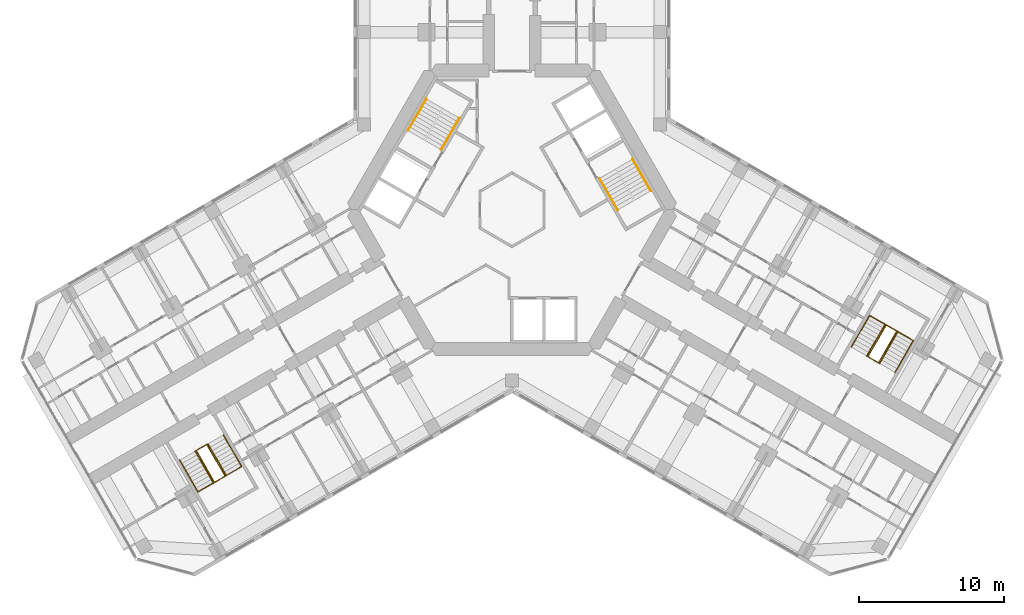
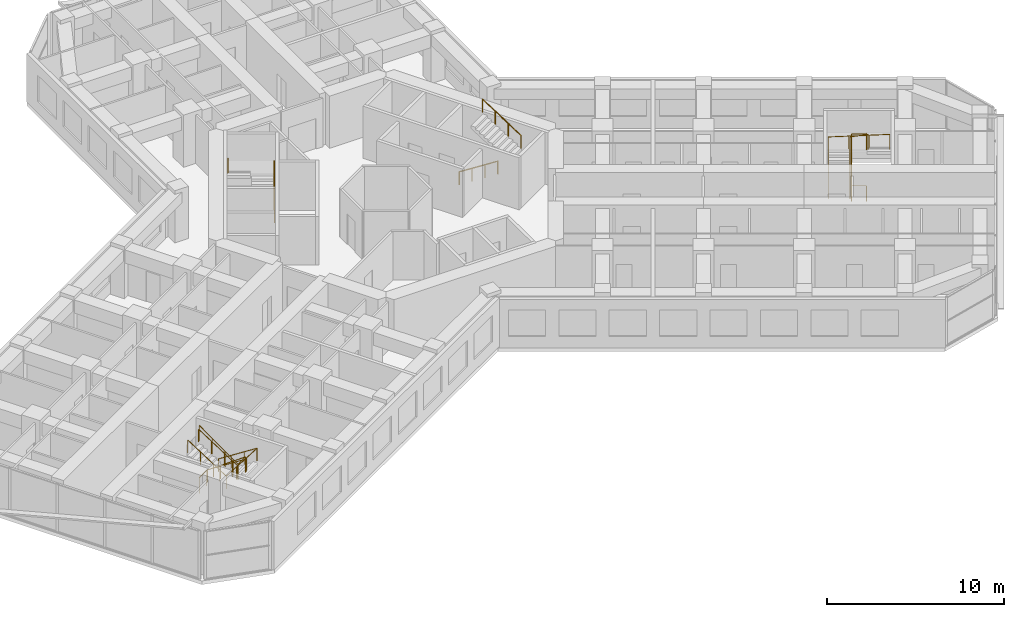
# One storey, part 19 of 19: 10 railings.
"""IFC4 building model written with IfcOpenShell, lengths in metres."""

from ifc_helpers import new_model, si_unit, direction, frame, origin, origin_2d, place, context, subcontext, project, spatial, circle, extrude, material, type_object, element, save


model = new_model("IFC4")

# Units and contexts
model_context = context("Model", 3, precision=1e-05, world=origin(), true_north=direction((0.0, 1.0)))
body_context = subcontext(model_context, "Body", "Model", "MODEL_VIEW")
ifc_project = project(units=[si_unit("LENGTHUNIT", "METRE"), si_unit("AREAUNIT", "SQUARE_METRE"), si_unit("VOLUMEUNIT", "CUBIC_METRE"), si_unit("PLANEANGLEUNIT", "RADIAN"), si_unit("MASSUNIT", "GRAM", prefix="KILO")], contexts=[model_context])

# Site, building, storey
site_placement = place(None, origin())
site = spatial("IfcSite", under=ifc_project, at=site_placement, CompositionType="ELEMENT")
building_placement = place(site_placement, origin())
building = spatial("IfcBuilding", under=site, at=building_placement, Name="Kosmar Iwan School Tower", CompositionType="ELEMENT")
storey_placement = place(building_placement, frame((0.0, 0.0, 145.39990234375)))
storey = spatial("IfcBuildingStorey", under=building, at=storey_placement, Name="L36", CompositionType="ELEMENT", Elevation=145.39990234375)

# Railings
ifc_material_1 = material(Name="Black steel", Category="steel")
railing_type_1 = type_object("IfcRailingType", Name="Stair handrail 900", PredefinedType="HANDRAIL", material=ifc_material_1)
railing_1_placement = place(storey_placement, frame((-4.89453125, 4.142333984375, 0.18017578125)))
element("IfcRailing", 1, at=railing_1_placement, inside=storey, type_object=railing_type_1, Name="Handrail ST2 flight 1", PredefinedType="HANDRAIL", context=body_context, shape_type="SweptSolid", body=[
    extrude(circle(Radius=0.02392578125, at=origin_2d()), frame((0.0, 0.0, 0.8759765625), z_axis=(0.42060268101, 0.72849590497, 0.54072830624), x_axis=(-0.866022637375, 0.500004791531, 0.0)), (0.0, 0.0, 1.0), 2.99560546875),
    extrude(circle(Radius=0.02099609375, at=origin_2d()), origin(), (0.0, 0.0, 1.0), 0.851806640625),
    extrude(circle(Radius=0.02099609375, at=origin_2d()), frame((0.419921875, 0.7275390625, 0.5400390625)), (0.0, 0.0, 1.0), 0.851806640625),
    extrude(circle(Radius=0.02099609375, at=origin_2d()), frame((0.840087890625, 1.454833984375, 1.079833984375)), (0.0, 0.0, 1.0), 0.851806640625),
    extrude(circle(Radius=0.02099609375, at=origin_2d()), frame((1.260009765625, 2.182373046875, 1.619873046875)), (0.0, 0.0, 1.0), 0.851806640625),
])
railing_2_placement = place(storey_placement, frame((-5.912353515625, 7.6396484375, 1.97998046875)))
element("IfcRailing", 2, at=railing_2_placement, inside=storey, type_object=railing_type_1, Name="Handrail ST2 flight 2", PredefinedType="HANDRAIL", context=body_context, shape_type="SweptSolid", body=[
    extrude(circle(Radius=0.02392578125, at=origin_2d()), frame((0.0, 0.0, 0.8759765625), z_axis=(-0.420584145978, -0.728463801763, 0.540785970299), x_axis=(0.866022637375, -0.500004791531, 0.0)), (0.0, 0.0, 1.0), 2.995849609375),
    extrude(circle(Radius=0.02099609375, at=origin_2d()), origin(), (0.0, 0.0, 1.0), 0.851806640625),
    extrude(circle(Radius=0.02099609375, at=origin_2d()), frame((-0.419921875, -0.7275390625, 0.5400390625)), (0.0, 0.0, 1.0), 0.851806640625),
    extrude(circle(Radius=0.02099609375, at=origin_2d()), frame((-0.840087890625, -1.454833984375, 1.080078125)), (0.0, 0.0, 1.0), 0.851806640625),
    extrude(circle(Radius=0.02099609375, at=origin_2d()), frame((-1.260009765625, -2.182373046875, 1.6201171875)), (0.0, 0.0, 1.0), 0.851806640625),
])
railing_3_placement = place(storey_placement, frame((6.03466796875, 2.167724609375, 0.18017578125)))
element("IfcRailing", 3, at=railing_3_placement, inside=storey, type_object=railing_type_1, Name="Handrail ST1 flight 1", PredefinedType="HANDRAIL", context=body_context, shape_type="SweptSolid", body=[
    extrude(circle(Radius=0.02392578125, at=origin_2d()), frame((0.0, 0.0, 0.8759765625), z_axis=(0.42060268101, -0.72849590497, 0.54072830624), x_axis=(0.866022637375, 0.500004791531, 0.0)), (0.0, 0.0, 1.0), 2.99560546875),
    extrude(circle(Radius=0.02099609375, at=origin_2d()), origin(), (0.0, 0.0, 1.0), 0.851806640625),
    extrude(circle(Radius=0.02099609375, at=origin_2d()), frame((0.419921875, -0.7275390625, 0.5400390625)), (0.0, 0.0, 1.0), 0.851806640625),
    extrude(circle(Radius=0.02099609375, at=origin_2d()), frame((0.840087890625, -1.454833984375, 1.079833984375)), (0.0, 0.0, 1.0), 0.851806640625),
    extrude(circle(Radius=0.02099609375, at=origin_2d()), frame((1.260009765625, -2.182373046875, 1.619873046875)), (0.0, 0.0, 1.0), 0.851806640625),
])
railing_4_placement = place(storey_placement, frame((9.572265625, 1.30029296875, 1.97998046875)))
element("IfcRailing", 4, at=railing_4_placement, inside=storey, type_object=railing_type_1, Name="Handrail ST1 flight 2", PredefinedType="HANDRAIL", context=body_context, shape_type="SweptSolid", body=[
    extrude(circle(Radius=0.02392578125, at=origin_2d()), frame((0.0, 0.0, 0.8759765625), z_axis=(-0.420584145978, 0.728463801763, 0.540785970299), x_axis=(-0.866022637375, -0.500004791531, 0.0)), (0.0, 0.0, 1.0), 2.995849609375),
    extrude(circle(Radius=0.02099609375, at=origin_2d()), origin(), (0.0, 0.0, 1.0), 0.851806640625),
    extrude(circle(Radius=0.02099609375, at=origin_2d()), frame((-0.419921875, 0.7275390625, 0.5400390625)), (0.0, 0.0, 1.0), 0.851806640625),
    extrude(circle(Radius=0.02099609375, at=origin_2d()), frame((-0.840087890625, 1.454833984375, 1.080078125)), (0.0, 0.0, 1.0), 0.851806640625),
    extrude(circle(Radius=0.02099609375, at=origin_2d()), frame((-1.260009765625, 2.182373046875, 1.6201171875)), (0.0, 0.0, 1.0), 0.851806640625),
])
railing_5_placement = place(storey_placement, frame((-19.9091796875, -15.5361328125, 0.18017578125)))
element("IfcRailing", 5, at=railing_5_placement, inside=storey, type_object=railing_type_1, Name="Handrail stair WS2 L36 wall side", PredefinedType="HANDRAIL", context=body_context, shape_type="SweptSolid", body=[
    extrude(circle(Radius=0.02392578125, at=origin_2d()), frame((0.0, 0.0, 0.8759765625), z_axis=(0.420535598452, -0.728520874915, 0.540746840257), x_axis=(0.866064587494, 0.499932125682, 0.0)), (0.0, 0.0, 1.0), 2.99560546875),
    extrude(circle(Radius=0.02392578125, at=origin_2d()), frame((1.259765625, -2.182373046875, 2.49560546875), z_axis=(-0.864864352349, -0.499342858003, 0.051636829851), x_axis=(0.500009906705, -0.86601968407, 0.0)), (0.0, 0.0, 1.0), 3.484619140625),
    extrude(circle(Radius=0.02392578125, at=origin_2d()), frame((-1.75390625, -3.92236328125, 2.67578125), z_axis=(-0.420584145978, 0.728463801763, 0.540785970299), x_axis=(-0.866022637375, -0.500004791531, 0.0)), (0.0, 0.0, 1.0), 2.995849609375),
    extrude(circle(Radius=0.02099609375, at=origin_2d()), origin(), (0.0, 0.0, 1.0), 0.851806640625),
    extrude(circle(Radius=0.02099609375, at=origin_2d()), frame((0.419921875, -0.7275390625, 0.5400390625)), (0.0, 0.0, 1.0), 0.851806640625),
    extrude(circle(Radius=0.02099609375, at=origin_2d()), frame((0.83984375, -1.454833984375, 1.079833984375)), (0.0, 0.0, 1.0), 0.851806640625),
    extrude(circle(Radius=0.02099609375, at=origin_2d()), frame((1.259765625, -2.182373046875, 1.619873046875)), (0.0, 0.0, 1.0), 0.851806640625),
    extrude(circle(Radius=0.02099609375, at=origin_2d()), frame((0.255126953125, -2.762451171875, 1.679931640625)), (0.0, 0.0, 1.0), 0.851806640625),
    extrude(circle(Radius=0.02099609375, at=origin_2d()), frame((-0.749267578125, -3.34228515625, 1.73974609375)), (0.0, 0.0, 1.0), 0.851806640625),
    extrude(circle(Radius=0.02099609375, at=origin_2d()), frame((-1.75390625, -3.92236328125, 1.7998046875)), (0.0, 0.0, 1.0), 0.851806640625),
    extrude(circle(Radius=0.02099609375, at=origin_2d()), frame((-2.173828125, -3.19482421875, 2.33984375)), (0.0, 0.0, 1.0), 0.851806640625),
    extrude(circle(Radius=0.02099609375, at=origin_2d()), frame((-2.593994140625, -2.467529296875, 2.8798828125)), (0.0, 0.0, 1.0), 0.851806640625),
    extrude(circle(Radius=0.02099609375, at=origin_2d()), frame((-3.013916015625, -1.739990234375, 3.419921875)), (0.0, 0.0, 1.0), 0.851806640625),
])
railing_6_placement = place(storey_placement, frame((-20.974609375, -16.151123046875, 0.18017578125)))
element("IfcRailing", 6, at=railing_6_placement, inside=storey, type_object=railing_type_1, Name="Handrail stair WS2 L36 well side", PredefinedType="HANDRAIL", context=body_context, shape_type="SweptSolid", body=[
    extrude(circle(Radius=0.02392578125, at=origin_2d()), frame((0.0, 0.0, 0.8759765625), z_axis=(0.42060268101, -0.72849590497, 0.54072830624), x_axis=(0.866022637375, 0.500004791531, 0.0)), (0.0, 0.0, 1.0), 2.99560546875),
    extrude(circle(Radius=0.02392578125, at=origin_2d()), frame((1.260009765625, -2.182373046875, 2.49560546875), z_axis=(-0.852841519511, -0.492422867401, 0.173726976197), x_axis=(0.500026340207, -0.866010195725, 0.0)), (0.0, 0.0, 1.0), 1.03564453125),
    extrude(circle(Radius=0.02392578125, at=origin_2d()), frame((0.376708984375, -2.6923828125, 2.67578125), z_axis=(-0.420584145978, 0.728463801763, 0.540785970299), x_axis=(-0.866022637375, -0.500004791531, 0.0)), (0.0, 0.0, 1.0), 2.995849609375),
    extrude(circle(Radius=0.02099609375, at=origin_2d()), origin(), (0.0, 0.0, 1.0), 0.851806640625),
    extrude(circle(Radius=0.02099609375, at=origin_2d()), frame((0.419921875, -0.7275390625, 0.5400390625)), (0.0, 0.0, 1.0), 0.851806640625),
    extrude(circle(Radius=0.02099609375, at=origin_2d()), frame((0.840087890625, -1.454833984375, 1.079833984375)), (0.0, 0.0, 1.0), 0.851806640625),
    extrude(circle(Radius=0.02099609375, at=origin_2d()), frame((1.260009765625, -2.182373046875, 1.619873046875)), (0.0, 0.0, 1.0), 0.851806640625),
    extrude(circle(Radius=0.02099609375, at=origin_2d()), frame((0.376708984375, -2.6923828125, 1.7998046875)), (0.0, 0.0, 1.0), 0.851806640625),
    extrude(circle(Radius=0.02099609375, at=origin_2d()), frame((-0.043212890625, -1.96484375, 2.33984375)), (0.0, 0.0, 1.0), 0.851806640625),
    extrude(circle(Radius=0.02099609375, at=origin_2d()), frame((-0.46337890625, -1.237548828125, 2.8798828125)), (0.0, 0.0, 1.0), 0.851806640625),
    extrude(circle(Radius=0.02099609375, at=origin_2d()), frame((-0.88330078125, -0.510009765625, 3.419921875)), (0.0, 0.0, 1.0), 0.851806640625),
])
railing_7_placement = place(storey_placement, frame((23.4091796875, -9.473876953125, 0.18017578125)))
element("IfcRailing", 7, at=railing_7_placement, inside=storey, type_object=railing_type_1, Name="Handrail stair WS3 L36 wall side", PredefinedType="HANDRAIL", context=body_context, shape_type="SweptSolid", body=[
    extrude(circle(Radius=0.02392578125, at=origin_2d()), frame((0.0, 0.0, 0.8759765625), z_axis=(0.42060268101, 0.72849590497, 0.54072830624), x_axis=(-0.866022637375, 0.500004791531, 0.0)), (0.0, 0.0, 1.0), 2.99560546875),
    extrude(circle(Radius=0.02392578125, at=origin_2d()), frame((1.260009765625, 2.182373046875, 2.49560546875), z_axis=(0.864882007433, -0.499312601618, 0.051633701051), x_axis=(0.499979528911, 0.866037222451, 0.0)), (0.0, 0.0, 1.0), 3.48486328125),
    extrude(circle(Radius=0.02392578125, at=origin_2d()), frame((4.27392578125, 0.4423828125, 2.67578125), z_axis=(-0.420584145978, -0.728463801763, 0.540785970299), x_axis=(0.866022637375, -0.500004791531, 0.0)), (0.0, 0.0, 1.0), 2.995849609375),
    extrude(circle(Radius=0.02099609375, at=origin_2d()), origin(), (0.0, 0.0, 1.0), 0.851806640625),
    extrude(circle(Radius=0.02099609375, at=origin_2d()), frame((0.419921875, 0.7275390625, 0.5400390625)), (0.0, 0.0, 1.0), 0.851806640625),
    extrude(circle(Radius=0.02099609375, at=origin_2d()), frame((0.840087890625, 1.454833984375, 1.079833984375)), (0.0, 0.0, 1.0), 0.851806640625),
    extrude(circle(Radius=0.02099609375, at=origin_2d()), frame((1.260009765625, 2.182373046875, 1.619873046875)), (0.0, 0.0, 1.0), 0.851806640625),
    extrude(circle(Radius=0.02099609375, at=origin_2d()), frame((2.2646484375, 1.602294921875, 1.679931640625)), (0.0, 0.0, 1.0), 0.851806640625),
    extrude(circle(Radius=0.02099609375, at=origin_2d()), frame((3.269287109375, 1.0224609375, 1.73974609375)), (0.0, 0.0, 1.0), 0.851806640625),
    extrude(circle(Radius=0.02099609375, at=origin_2d()), frame((4.27392578125, 0.4423828125, 1.7998046875)), (0.0, 0.0, 1.0), 0.851806640625),
    extrude(circle(Radius=0.02099609375, at=origin_2d()), frame((3.85400390625, -0.28515625, 2.33984375)), (0.0, 0.0, 1.0), 0.851806640625),
    extrude(circle(Radius=0.02099609375, at=origin_2d()), frame((3.433837890625, -1.012451171875, 2.8798828125)), (0.0, 0.0, 1.0), 0.851806640625),
    extrude(circle(Radius=0.02099609375, at=origin_2d()), frame((3.013916015625, -1.739990234375, 3.419921875)), (0.0, 0.0, 1.0), 0.851806640625),
])
railing_8_placement = place(storey_placement, frame((24.474609375, -10.0888671875, 0.18017578125)))
element("IfcRailing", 8, at=railing_8_placement, inside=storey, type_object=railing_type_1, Name="Handrail stair WS3 L36 well side", PredefinedType="HANDRAIL", context=body_context, shape_type="SweptSolid", body=[
    extrude(circle(Radius=0.02392578125, at=origin_2d()), frame((0.0, 0.0, 0.8759765625), z_axis=(0.42060268101, 0.72849590497, 0.54072830624), x_axis=(-0.866022637375, 0.500004791531, 0.0)), (0.0, 0.0, 1.0), 2.99560546875),
    extrude(circle(Radius=0.02392578125, at=origin_2d()), frame((1.260009765625, 2.182373046875, 2.49560546875), z_axis=(0.852841519511, -0.492422867401, 0.173726976197), x_axis=(0.500026340207, 0.866010195725, 0.0)), (0.0, 0.0, 1.0), 1.03564453125),
    extrude(circle(Radius=0.02392578125, at=origin_2d()), frame((2.143310546875, 1.67236328125, 2.67578125), z_axis=(-0.420584145978, -0.728463801763, 0.540785970299), x_axis=(0.866022637375, -0.500004791531, 0.0)), (0.0, 0.0, 1.0), 2.995849609375),
    extrude(circle(Radius=0.02099609375, at=origin_2d()), origin(), (0.0, 0.0, 1.0), 0.851806640625),
    extrude(circle(Radius=0.02099609375, at=origin_2d()), frame((0.419921875, 0.7275390625, 0.5400390625)), (0.0, 0.0, 1.0), 0.851806640625),
    extrude(circle(Radius=0.02099609375, at=origin_2d()), frame((0.840087890625, 1.454833984375, 1.079833984375)), (0.0, 0.0, 1.0), 0.851806640625),
    extrude(circle(Radius=0.02099609375, at=origin_2d()), frame((1.260009765625, 2.182373046875, 1.619873046875)), (0.0, 0.0, 1.0), 0.851806640625),
    extrude(circle(Radius=0.02099609375, at=origin_2d()), frame((2.143310546875, 1.67236328125, 1.7998046875)), (0.0, 0.0, 1.0), 0.851806640625),
    extrude(circle(Radius=0.02099609375, at=origin_2d()), frame((1.723388671875, 0.94482421875, 2.33984375)), (0.0, 0.0, 1.0), 0.851806640625),
    extrude(circle(Radius=0.02099609375, at=origin_2d()), frame((1.30322265625, 0.217529296875, 2.8798828125)), (0.0, 0.0, 1.0), 0.851806640625),
    extrude(circle(Radius=0.02099609375, at=origin_2d()), frame((0.88330078125, -0.510009765625, 3.419921875)), (0.0, 0.0, 1.0), 0.851806640625),
])
ifc_material_2 = material(Name="Black steel", Category="steel")
railing_type_2 = type_object("IfcRailingType", Name="Stair well guard 1100", PredefinedType="GUARDRAIL", material=ifc_material_2)
railing_9_placement = place(storey_placement, frame((-21.780029296875, -16.6162109375, 0.0)))
element("IfcRailing", 9, at=railing_9_placement, inside=storey, type_object=railing_type_2, Name="Stair WS2 L36 well guard", PredefinedType="GUARDRAIL", context=body_context, shape_type="SweptSolid", body=[
    extrude(circle(Radius=0.02392578125, at=origin_2d()), frame((0.0, 0.0, 1.076171875), z_axis=(0.865962960534, 0.500108139288, 0.0), x_axis=(-0.500108139288, 0.865962960534, 0.0)), (0.0, 0.0, 1.0), 0.840087890625),
    extrude(circle(Radius=0.02392578125, at=origin_2d()), frame((0.7275390625, 0.420166015625, 1.076171875), z_axis=(0.40686665399, -0.704704712268, 0.58124933925), x_axis=(0.866022637375, 0.500004791531, 0.0)), (0.0, 0.0, 1.0), 3.096923828125),
    extrude(circle(Radius=0.02392578125, at=origin_2d()), frame((1.987548828125, -1.76220703125, 2.8759765625), z_axis=(-0.865962960534, -0.500108139288, 0.0), x_axis=(0.500108139288, -0.865962960534, 0.0)), (0.0, 0.0, 1.0), 0.840087890625),
    extrude(circle(Radius=0.02392578125, at=origin_2d()), frame((1.260009765625, -2.182373046875, 2.8759765625), z_axis=(-0.40686665399, 0.704704712268, 0.58124933925), x_axis=(-0.866022637375, -0.500004791531, 0.0)), (0.0, 0.0, 1.0), 3.096923828125),
    extrude(circle(Radius=0.02099609375, at=origin_2d()), origin(), (0.0, 0.0, 1.0), 1.052001953125),
    extrude(circle(Radius=0.02099609375, at=origin_2d()), frame((0.7275390625, 0.420166015625, 0.0)), (0.0, 0.0, 1.0), 1.052001953125),
    extrude(circle(Radius=0.02099609375, at=origin_2d()), frame((1.1474609375, -0.307373046875, 0.60009765625)), (0.0, 0.0, 1.0), 1.052001953125),
    extrude(circle(Radius=0.02099609375, at=origin_2d()), frame((1.567626953125, -1.03466796875, 1.199951171875)), (0.0, 0.0, 1.0), 1.052001953125),
    extrude(circle(Radius=0.02099609375, at=origin_2d()), frame((1.987548828125, -1.76220703125, 1.800048828125)), (0.0, 0.0, 1.0), 1.052001953125),
    extrude(circle(Radius=0.02099609375, at=origin_2d()), frame((1.260009765625, -2.182373046875, 1.800048828125)), (0.0, 0.0, 1.0), 1.052001953125),
    extrude(circle(Radius=0.02099609375, at=origin_2d()), frame((0.840087890625, -1.454833984375, 2.400146484375)), (0.0, 0.0, 1.0), 1.052001953125),
    extrude(circle(Radius=0.02099609375, at=origin_2d()), frame((0.419921875, -0.7275390625, 3.0)), (0.0, 0.0, 1.0), 1.052001953125),
    extrude(circle(Radius=0.02099609375, at=origin_2d()), frame((0.0, 0.0, 3.60009765625)), (0.0, 0.0, 1.0), 1.052001953125),
])
railing_10_placement = place(storey_placement, frame((25.280029296875, -10.553955078125, 0.0)))
element("IfcRailing", 10, at=railing_10_placement, inside=storey, type_object=railing_type_2, Name="Stair WS3 L36 well guard", PredefinedType="GUARDRAIL", context=body_context, shape_type="SweptSolid", body=[
    extrude(circle(Radius=0.02392578125, at=origin_2d()), frame((0.0, 0.0, 1.076171875), z_axis=(-0.865962960534, 0.500108139288, 0.0), x_axis=(-0.500108139288, -0.865962960534, 0.0)), (0.0, 0.0, 1.0), 0.840087890625),
    extrude(circle(Radius=0.02392578125, at=origin_2d()), frame((-0.7275390625, 0.420166015625, 1.076171875), z_axis=(0.40686665399, 0.704704712268, 0.58124933925), x_axis=(-0.866022637375, 0.500004791531, 0.0)), (0.0, 0.0, 1.0), 3.096923828125),
    extrude(circle(Radius=0.02392578125, at=origin_2d()), frame((0.532470703125, 2.6025390625, 2.8759765625), z_axis=(0.865890253765, -0.500234013672, 0.0), x_axis=(0.500234013672, 0.865890253765, 0.0)), (0.0, 0.0, 1.0), 0.83984375),
    extrude(circle(Radius=0.02392578125, at=origin_2d()), frame((1.259765625, 2.182373046875, 2.8759765625), z_axis=(-0.406800866334, -0.70472731476, 0.58126798207), x_axis=(0.866064587494, -0.499932125682, 0.0)), (0.0, 0.0, 1.0), 3.0966796875),
    extrude(circle(Radius=0.02099609375, at=origin_2d()), origin(), (0.0, 0.0, 1.0), 1.052001953125),
    extrude(circle(Radius=0.02099609375, at=origin_2d()), frame((-0.7275390625, 0.420166015625, 0.0)), (0.0, 0.0, 1.0), 1.052001953125),
    extrude(circle(Radius=0.02099609375, at=origin_2d()), frame((-0.3076171875, 1.147705078125, 0.60009765625)), (0.0, 0.0, 1.0), 1.052001953125),
    extrude(circle(Radius=0.02099609375, at=origin_2d()), frame((0.112548828125, 1.875, 1.199951171875)), (0.0, 0.0, 1.0), 1.052001953125),
    extrude(circle(Radius=0.02099609375, at=origin_2d()), frame((0.532470703125, 2.6025390625, 1.800048828125)), (0.0, 0.0, 1.0), 1.052001953125),
    extrude(circle(Radius=0.02099609375, at=origin_2d()), frame((1.259765625, 2.182373046875, 1.800048828125)), (0.0, 0.0, 1.0), 1.052001953125),
    extrude(circle(Radius=0.02099609375, at=origin_2d()), frame((0.83984375, 1.454833984375, 2.400146484375)), (0.0, 0.0, 1.0), 1.052001953125),
    extrude(circle(Radius=0.02099609375, at=origin_2d()), frame((0.419921875, 0.7275390625, 3.0)), (0.0, 0.0, 1.0), 1.052001953125),
    extrude(circle(Radius=0.02099609375, at=origin_2d()), frame((0.0, 0.0, 3.60009765625)), (0.0, 0.0, 1.0), 1.052001953125),
])

save(model, "model.ifc")
